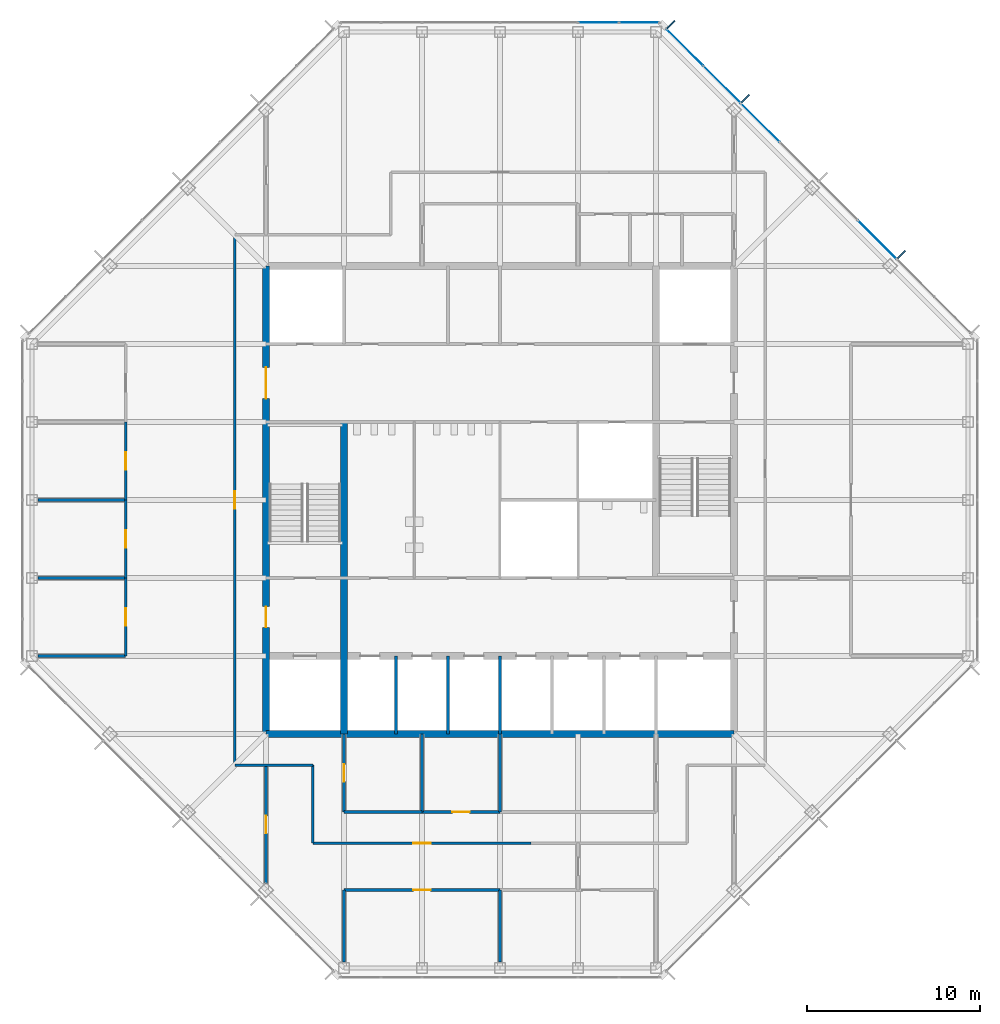
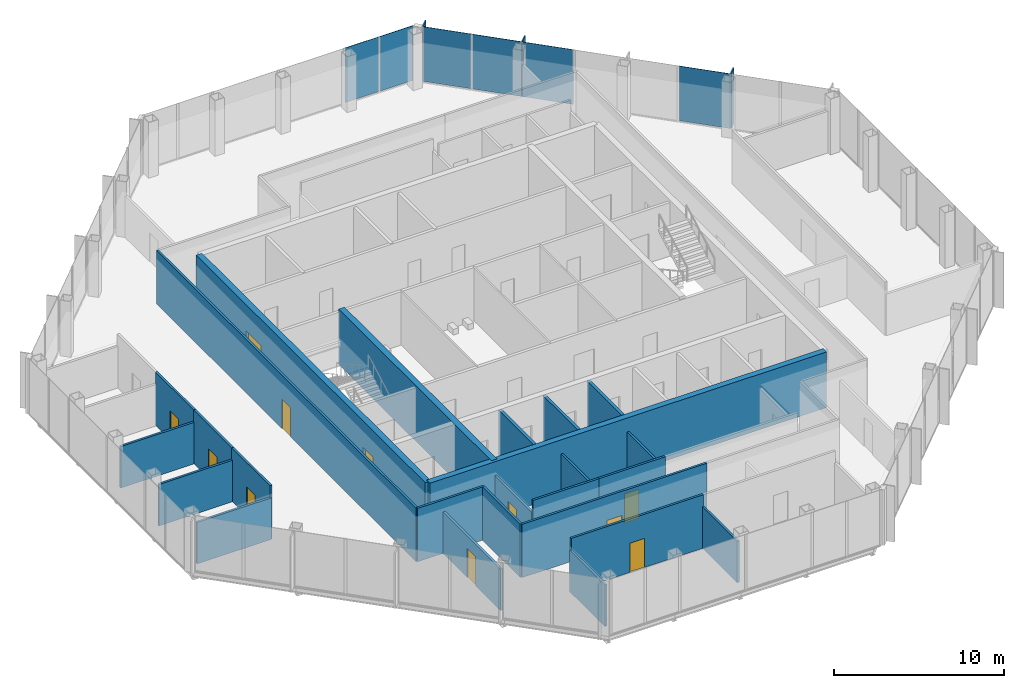
# One storey, part 9 of 14: 25 walls, 11 doors, 9 plates, 11 openings, 2 elements without a shape of their own.
"""IFC4 building model written with IfcOpenShell, lengths in metres."""

from ifc_helpers import new_model, si_unit, direction, frame, frame_2d, origin, origin_2d, place, context, subcontext, project, spatial, rectangle, extrude, material, layer, layer_set, type_object, element, fill, aggregate, save


model = new_model("IFC4")

# Units and contexts
model_context = context("Model", 3, precision=1e-05, world=origin(), true_north=direction((0.0, 1.0)))
body_context = subcontext(model_context, "Body", "Model", "MODEL_VIEW")
ifc_project = project(units=[si_unit("LENGTHUNIT", "METRE"), si_unit("AREAUNIT", "SQUARE_METRE"), si_unit("VOLUMEUNIT", "CUBIC_METRE"), si_unit("PLANEANGLEUNIT", "RADIAN"), si_unit("MASSUNIT", "GRAM", prefix="KILO")], contexts=[model_context])

# Site, building, storey
site_placement = place(None, origin())
site = spatial("IfcSite", under=ifc_project, at=site_placement, CompositionType="ELEMENT")
building_placement = place(site_placement, origin())
building = spatial("IfcBuilding", under=site, at=building_placement, Name="Corais Broadcast Tower", CompositionType="ELEMENT")
storey_placement = place(building_placement, frame((0.0, 0.0, 230.60009765625)))
storey = spatial("IfcBuildingStorey", under=building, at=storey_placement, Name="L53", CompositionType="ELEMENT", Elevation=230.60009765625)

# Curtain wall, plate
ifc_material_1 = material(Name="Aluminium and glass", Category="aluminium")
curtain_wall_type = type_object("IfcCurtainWallType", Name="Unitised fritted curtain wall CW3", PredefinedType="NOTDEFINED", material=ifc_material_1)
curtain_wall_1_placement = place(storey_placement, origin())
curtain_wall_1 = element("IfcCurtainWall", 1, at=curtain_wall_1_placement, inside=storey, type_object=curtain_wall_type, Name="CW3 curtain wall L53 4", PredefinedType="NOTDEFINED")
ifc_material_2 = material(Name="Ceramic-fritted laminated glass", Category="glass")
ifc_layer_1 = layer(ifc_material_2, 0.02587890625)
ifc_layer_set_1 = layer_set([ifc_layer_1], Name="Ceramic-fritted laminated glass")
plate_type_1 = type_object("IfcPlateType", Name="Fritted glass panel CW3", PredefinedType="CURTAIN_PANEL", material=ifc_layer_set_1)
plate_1_placement = place(storey_placement, frame((32.681884765625, 54.550048828125, 0.06494140625), z_axis=(0.0, 0.0, 1.0), x_axis=(1.0, 0.0, 0.0)))
plate_1 = element("IfcPlate", 2, at=plate_1_placement, type_object=plate_type_1, Name="CW3 panel 5", PredefinedType="CURTAIN_PANEL", context=body_context, shape_type="SweptSolid", body=[
    extrude(rectangle(XDim=2.298828125, YDim=0.02587890625, at=origin_2d()), origin(), (0.0, 0.0, 1.0), 3.93505859375),
])

# Curtain wall, plates
curtain_wall_2_placement = place(storey_placement, origin())
curtain_wall_2 = element("IfcCurtainWall", 3, at=curtain_wall_2_placement, inside=storey, type_object=curtain_wall_type, Name="CW3 curtain wall L53 5", PredefinedType="NOTDEFINED")
plate_2_placement = place(storey_placement, frame((37.669677734375, 53.108154296875, 0.06494140625), z_axis=(0.0, 0.0, 1.0), x_axis=(0.707106781187, -0.707106781187, 0.0)))
plate_2 = element("IfcPlate", 4, at=plate_2_placement, type_object=plate_type_1, Name="CW3 panel 1", PredefinedType="CURTAIN_PANEL", context=body_context, shape_type="SweptSolid", body=[
    extrude(rectangle(XDim=2.9482421875, YDim=0.02587890625, at=origin_2d()), origin(), (0.0, 0.0, 1.0), 3.93505859375),
])
plate_3_placement = place(storey_placement, frame((42.013916015625, 48.763916015625, 0.06494140625), z_axis=(0.0, 0.0, 1.0), x_axis=(0.707106781187, -0.707106781187, 0.0)))
plate_3 = element("IfcPlate", 5, at=plate_3_placement, type_object=plate_type_1, Name="CW3 panel 3", PredefinedType="CURTAIN_PANEL", context=body_context, shape_type="SweptSolid", body=[
    extrude(rectangle(XDim=3.116943359375, YDim=0.02587890625, at=origin_2d()), origin(), (0.0, 0.0, 1.0), 3.93505859375),
])

# Plate
ifc_material_3 = material(Name="Clear laminated glass", Category="glass")
ifc_layer_2 = layer(ifc_material_3, 0.030029296875)
ifc_layer_set_2 = layer_set([ifc_layer_2], Name="Clear laminated glass")
plate_type_2 = type_object("IfcPlateType", Name="Operable glass panel CW3", PredefinedType="CURTAIN_PANEL", material=ifc_layer_set_2)
plate_4_placement = place(storey_placement, frame((35.029541015625, 54.550048828125, 0.06494140625), z_axis=(0.0, 0.0, 1.0), x_axis=(1.0, 0.0, 0.0)))
plate_4 = element("IfcPlate", 6, at=plate_4_placement, type_object=plate_type_2, Name="CW3 operable panel 6", PredefinedType="CURTAIN_PANEL", context=body_context, shape_type="SweptSolid", body=[
    extrude(rectangle(XDim=2.266357421875, YDim=0.030029296875, at=origin_2d()), origin(), (0.0, 0.0, 1.0), 3.93505859375),
])

aggregate(curtain_wall_1, [plate_1, plate_4])

plate_5_placement = place(storey_placement, frame((39.81201171875, 50.9658203125, 0.06494140625), z_axis=(0.0, 0.0, 1.0), x_axis=(0.707106781187, -0.707106781187, 0.0)))
plate_5 = element("IfcPlate", 7, at=plate_5_placement, type_object=plate_type_2, Name="CW3 operable panel 2", PredefinedType="CURTAIN_PANEL", context=body_context, shape_type="SweptSolid", body=[
    extrude(rectangle(XDim=2.98095703125, YDim=0.030029296875, at=origin_2d()), origin(), (0.0, 0.0, 1.0), 3.93505859375),
])

plate_6_placement = place(storey_placement, frame((48.763916015625, 42.013916015625, 0.06494140625), z_axis=(0.0, 0.0, 1.0), x_axis=(0.707106781187, -0.707106781187, 0.0)))
plate_6 = element("IfcPlate", 8, at=plate_6_placement, type_object=plate_type_2, Name="CW3 operable panel 6", PredefinedType="CURTAIN_PANEL", context=body_context, shape_type="SweptSolid", body=[
    extrude(rectangle(XDim=3.116943359375, YDim=0.030029296875, at=origin_2d()), origin(), (0.0, 0.0, 1.0), 3.93505859375),
])

aggregate(curtain_wall_2, [plate_2, plate_5, plate_3, plate_6])

# Plates
ifc_material_4 = material(Name="Granite stone cladding", Category="masonry")
ifc_layer_3 = layer(ifc_material_4, 0.080078125)
ifc_layer_set_3 = layer_set([ifc_layer_3], Name="Granite stone cladding")
plate_type_3 = type_object("IfcPlateType", Name="Stone screen fin 80x600", PredefinedType="USERDEFINED", material=ifc_layer_set_3)
for number, where, z_axis, x_axis, name in (
    (9, (36.870849609375, 54.43994140625, 0.0), (0.0, 0.0, 1.0), (0.707106781187, -0.707106781187, 0.0), "SF1 stone screen fin L53"),
    (10, (41.155517578125, 50.155517578125, 0.0), (0.0, 0.0, 1.0), (0.707106781187, -0.707106781187, 0.0), "SF1 stone screen fin L53"),
    (11, (50.155517578125, 41.155517578125, 0.0), (0.0, 0.0, 1.0), (0.707106781187, -0.707106781187, 0.0), "SF1 stone screen fin L53"),
):
    element("IfcPlate", number, at=place(storey_placement, frame(where, z_axis=z_axis, x_axis=x_axis)), inside=storey, type_object=plate_type_3, Name=name, ObjectType="STONE SCREEN FIN", PredefinedType="USERDEFINED", context=body_context, shape_type="SweptSolid", body=[
        extrude(rectangle(XDim=0.080078125, YDim=0.60009765625, at=origin_2d()), origin(), (0.0, 0.0, 1.0), 4.0),
    ])

# Wall
ifc_material_5 = material(Name="Concrete C50/60", Category="concrete")
ifc_layer_4 = layer(ifc_material_5, 0.39990234375)
ifc_layer_set_4 = layer_set([ifc_layer_4], Name="Concrete C50/60")
wall_type_1 = type_object("IfcWallType", Name="Core wall 400", PredefinedType="SHEAR", material=ifc_layer_set_4)
wall_1_placement = place(storey_placement, frame((13.5, 13.5, 0.0), z_axis=(0.0, 0.0, 1.0), x_axis=(1.0, 0.0, 0.0)))
element("IfcWall", 12, at=wall_1_placement, inside=storey, type_object=wall_type_1, Name="CR400 core wall S L53", PredefinedType="SHEAR", context=body_context, shape_type="SweptSolid", body=[
    extrude(rectangle(XDim=27.0, YDim=0.39990234375, at=frame_2d((13.5, 0.0))), origin(), (0.0, 0.0, 1.0), 4.0),
])

# Wall, openings, doors
wall_2_placement = place(storey_placement, frame((13.5, 40.5, 0.0), z_axis=(0.0, 0.0, 1.0), x_axis=(0.0, -1.0, 0.0)))
wall_2 = element("IfcWall", 13, at=wall_2_placement, inside=storey, type_object=wall_type_1, Name="CR400 core wall W L53", PredefinedType="SHEAR", context=body_context, shape_type="SweptSolid", body=[
    extrude(rectangle(XDim=27.0, YDim=0.39990234375, at=frame_2d((13.5, 0.0))), origin(), (0.0, 0.0, 1.0), 4.0),
])
opening_1_placement = place(wall_2_placement, frame((19.64990234375, 0.0, 0.0)))
opening_1 = element("IfcOpeningElement", 14, at=opening_1_placement, cuts=wall_2, Name="Opening FD1", PredefinedType="OPENING", context=body_context, shape_type="SweptSolid", body=[
    extrude(rectangle(XDim=1.199951171875, YDim=2.10009765625, at=frame_2d((0.60009765625, 1.050048828125))), frame((0.0, 0.2099609375, 0.0), z_axis=(0.0, -1.0, 0.0), x_axis=(1.0, 0.0, 0.0)), (0.0, 0.0, 1.0), 0.419921875),
])
opening_2_placement = place(wall_2_placement, frame((5.85009765625, 0.0, 0.0)))
opening_2 = element("IfcOpeningElement", 15, at=opening_2_placement, cuts=wall_2, Name="Opening FD2", PredefinedType="OPENING", context=body_context, shape_type="SweptSolid", body=[
    extrude(rectangle(XDim=1.800048828125, YDim=2.10009765625, at=frame_2d((0.89990234375, 1.050048828125))), frame((0.0, 0.2099609375, 0.0), z_axis=(0.0, -1.0, 0.0), x_axis=(1.0, 0.0, 0.0)), (0.0, 0.0, 1.0), 0.419921875),
])
ifc_material_6 = material(Name="Steel fire door", Category="steel")
door_type_1 = type_object("IfcDoorType", Name="Fire door 1200x2100", OperationType="SINGLE_SWING_LEFT", PredefinedType="DOOR", material=ifc_material_6)
door_1_placement = place(opening_1_placement, origin())
door_1 = element("IfcDoor", 16, at=door_1_placement, inside=storey, type_object=door_type_1, Name="FD1 fire lobby A door L53", OperationType="SINGLE_SWING_RIGHT", OverallHeight=2.10009765625, OverallWidth=1.199951171875, PredefinedType="DOOR", context=body_context, shape_type="SweptSolid", body=[
    extrude(rectangle(XDim=1.199951171875, YDim=2.10009765625, at=frame_2d((0.60009765625, 1.050048828125))), frame((0.0, 0.02490234375, 0.0), z_axis=(0.0, -1.0, 0.0), x_axis=(1.0, 0.0, 0.0)), (0.0, 0.0, 1.0), 0.050048828125),
])
fill(opening_1, door_1)
ifc_material_7 = material(Name="Steel fire door", Category="steel")
door_type_2 = type_object("IfcDoorType", Name="Fire door pair 1800x2100", OperationType="DOUBLE_DOOR_SINGLE_SWING", PredefinedType="DOOR", material=ifc_material_7)
door_2_placement = place(opening_2_placement, origin())
door_2 = element("IfcDoor", 17, at=door_2_placement, inside=storey, type_object=door_type_2, Name="FD2 lift lobby door L53", OperationType="SINGLE_SWING_LEFT", OverallHeight=2.10009765625, OverallWidth=1.800048828125, PredefinedType="DOOR", context=body_context, shape_type="SweptSolid", body=[
    extrude(rectangle(XDim=1.800048828125, YDim=2.10009765625, at=frame_2d((0.89990234375, 1.050048828125))), frame((0.0, 0.02490234375, 0.0), z_axis=(0.0, -1.0, 0.0), x_axis=(1.0, 0.0, 0.0)), (0.0, 0.0, 1.0), 0.050048828125),
])
fill(opening_2, door_2)

# Wall
wall_3_placement = place(storey_placement, frame((18.0, 13.5, 0.0), z_axis=(0.0, 0.0, 1.0), x_axis=(0.0, 1.0, 0.0)))
element("IfcWall", 18, at=wall_3_placement, inside=storey, type_object=wall_type_1, Name="CR400 core wall X18A L53", PredefinedType="SHEAR", context=body_context, shape_type="SweptSolid", body=[
    extrude(rectangle(XDim=18.0, YDim=0.39990234375, at=frame_2d((9.0, 0.0))), origin(), (0.0, 0.0, 1.0), 4.0),
])

# Wall, opening, door
ifc_material_8 = material(Name="Gypsum board on steel studs", Category="steel")
ifc_layer_5 = layer(ifc_material_8, 0.14990234375)
ifc_layer_set_5 = layer_set([ifc_layer_5], Name="Gypsum board on steel studs")
wall_type_2 = type_object("IfcWallType", Name="Partition 150", PredefinedType="PARTITIONING", material=ifc_layer_set_5)
wall_4_placement = place(storey_placement, frame((11.699951171875, 42.300048828125, 0.0), z_axis=(0.0, 0.0, 1.0), x_axis=(0.0, -1.0, 0.0)))
wall_4 = element("IfcWall", 19, at=wall_4_placement, inside=storey, type_object=wall_type_2, Name="IW3 corridor wall L53", PredefinedType="PARTITIONING", context=body_context, shape_type="SweptSolid", body=[
    extrude(rectangle(XDim=30.60009765625, YDim=0.14990234375, at=frame_2d((15.300048828125, 0.0))), origin(), (0.0, 0.0, 1.0), 3.83984375),
])
opening_3_placement = place(wall_4_placement, frame((14.800048828125, 0.0, 0.0)))
opening_3 = element("IfcOpeningElement", 20, at=opening_3_placement, cuts=wall_4, Name="Opening D1", PredefinedType="OPENING", context=body_context, shape_type="SweptSolid", body=[
    extrude(rectangle(XDim=1.0, YDim=2.10009765625, at=frame_2d((0.5, 1.050048828125))), frame((0.0, 0.0849609375, 0.0), z_axis=(0.0, -1.0, 0.0), x_axis=(1.0, 0.0, 0.0)), (0.0, 0.0, 1.0), 0.169921875),
])
ifc_material_9 = material(Name="Timber door", Category="wood")
door_type_3 = type_object("IfcDoorType", Name="Single door 1000x2100", OperationType="SINGLE_SWING_LEFT", PredefinedType="DOOR", material=ifc_material_9)
door_3_placement = place(opening_3_placement, origin())
door_3 = element("IfcDoor", 21, at=door_3_placement, inside=storey, type_object=door_type_3, Name="D1 workplace door L53", OperationType="SINGLE_SWING_LEFT", OverallHeight=2.10009765625, OverallWidth=1.0, PredefinedType="DOOR", context=body_context, shape_type="SweptSolid", body=[
    extrude(rectangle(XDim=1.0, YDim=2.10009765625, at=frame_2d((0.5, 1.050048828125))), frame((0.0, 0.02490234375, 0.0), z_axis=(0.0, -1.0, 0.0), x_axis=(1.0, 0.0, 0.0)), (0.0, 0.0, 1.0), 0.050048828125),
])
fill(opening_3, door_3)

wall_5_placement = place(storey_placement, frame((16.199951171875, 7.199951171875, 0.0), z_axis=(0.0, 0.0, 1.0), x_axis=(1.0, 0.0, 0.0)))
wall_5 = element("IfcWall", 22, at=wall_5_placement, inside=storey, type_object=wall_type_2, Name="IW3 corridor wall L53", PredefinedType="PARTITIONING", context=body_context, shape_type="SweptSolid", body=[
    extrude(rectangle(XDim=12.60009765625, YDim=0.14990234375, at=frame_2d((6.300048828125, 0.0))), origin(), (0.0, 0.0, 1.0), 3.83984375),
])
opening_4_placement = place(wall_5_placement, frame((5.800048828125, 0.0, 0.0)))
opening_4 = element("IfcOpeningElement", 23, at=opening_4_placement, cuts=wall_5, Name="Opening D1", PredefinedType="OPENING", context=body_context, shape_type="SweptSolid", body=[
    extrude(rectangle(XDim=1.0, YDim=2.10009765625, at=frame_2d((0.5, 1.050048828125))), frame((0.0, 0.0849609375, 0.0), z_axis=(0.0, -1.0, 0.0), x_axis=(1.0, 0.0, 0.0)), (0.0, 0.0, 1.0), 0.169921875),
])
door_4_placement = place(opening_4_placement, origin())
door_4 = element("IfcDoor", 24, at=door_4_placement, inside=storey, type_object=door_type_3, Name="D1 workplace door L53", OperationType="SINGLE_SWING_LEFT", OverallHeight=2.10009765625, OverallWidth=1.0, PredefinedType="DOOR", context=body_context, shape_type="SweptSolid", body=[
    extrude(rectangle(XDim=1.0, YDim=2.10009765625, at=frame_2d((0.5, 1.050048828125))), frame((0.0, 0.02490234375, 0.0), z_axis=(0.0, -1.0, 0.0), x_axis=(1.0, 0.0, 0.0)), (0.0, 0.0, 1.0), 0.050048828125),
])
fill(opening_4, door_4)

# Walls
for number, where, z_axis, x_axis, name in (
    (25, (11.699951171875, 11.699951171875, 0.0), (0.0, 0.0, 1.0), (1.0, 0.0, 0.0), "IW3 corridor wall L53"),
    (26, (16.199951171875, 11.699951171875, 0.0), (0.0, 0.0, 1.0), (0.0, -1.0, 0.0), "IW3 corridor wall L53"),
):
    element("IfcWall", number, at=place(storey_placement, frame(where, z_axis=z_axis, x_axis=x_axis)), inside=storey, type_object=wall_type_2, Name=name, PredefinedType="PARTITIONING", context=body_context, shape_type="SweptSolid", body=[
        extrude(rectangle(XDim=4.5, YDim=0.14990234375, at=frame_2d((2.25, 0.0))), origin(), (0.0, 0.0, 1.0), 3.83984375),
    ])
wall_6_placement = place(storey_placement, frame((27.0, 13.5, 0.0), z_axis=(0.0, 0.0, 1.0), x_axis=(0.0, -1.0, 0.0)))
element("IfcWall", 27, at=wall_6_placement, inside=storey, type_object=wall_type_2, Name="IW3 partition L53", PredefinedType="PARTITIONING", context=body_context, shape_type="SweptSolid", body=[
    extrude(rectangle(XDim=4.5, YDim=0.14990234375, at=frame_2d((2.25, 0.0))), origin(), (0.0, 0.0, 1.0), 2.989013671875),
])
wall_7_placement = place(storey_placement, frame((0.3349609375, 18.0, 0.0), z_axis=(0.0, 0.0, 1.0), x_axis=(1.0, 0.0, 0.0)))
element("IfcWall", 28, at=wall_7_placement, inside=storey, type_object=wall_type_2, Name="IW3 partition L53", PredefinedType="PARTITIONING", context=body_context, shape_type="SweptSolid", body=[
    extrude(rectangle(XDim=5.06494140625, YDim=0.14990234375, at=frame_2d((2.532470703125, 0.0))), origin(), (0.0, 0.0, 1.0), 2.989013671875),
])

# Wall, opening, door
wall_8_placement = place(storey_placement, frame((5.39990234375, 18.0, 0.0), z_axis=(0.0, 0.0, 1.0), x_axis=(0.0, 1.0, 0.0)))
wall_8 = element("IfcWall", 29, at=wall_8_placement, inside=storey, type_object=wall_type_2, Name="IW3 partition L53", PredefinedType="PARTITIONING", context=body_context, shape_type="SweptSolid", body=[
    extrude(rectangle(XDim=4.5, YDim=0.14990234375, at=frame_2d((2.25, 0.0))), origin(), (0.0, 0.0, 1.0), 3.83984375),
])
opening_5_placement = place(wall_8_placement, frame((1.75, 0.0, 0.0)))
opening_5 = element("IfcOpeningElement", 30, at=opening_5_placement, cuts=wall_8, Name="Opening D1", PredefinedType="OPENING", context=body_context, shape_type="SweptSolid", body=[
    extrude(rectangle(XDim=1.0, YDim=2.10009765625, at=frame_2d((0.5, 1.050048828125))), frame((0.0, 0.0849609375, 0.0), z_axis=(0.0, -1.0, 0.0), x_axis=(1.0, 0.0, 0.0)), (0.0, 0.0, 1.0), 0.169921875),
])
door_5_placement = place(opening_5_placement, origin())
door_5 = element("IfcDoor", 31, at=door_5_placement, inside=storey, type_object=door_type_3, Name="D1 Focus room door", OperationType="SINGLE_SWING_LEFT", OverallHeight=2.10009765625, OverallWidth=1.0, PredefinedType="DOOR", context=body_context, shape_type="SweptSolid", body=[
    extrude(rectangle(XDim=1.0, YDim=2.10009765625, at=frame_2d((0.5, 1.050048828125))), frame((0.0, 0.02490234375, 0.0), z_axis=(0.0, -1.0, 0.0), x_axis=(1.0, 0.0, 0.0)), (0.0, 0.0, 1.0), 0.050048828125),
])
fill(opening_5, door_5)

# Wall
wall_9_placement = place(storey_placement, frame((5.39990234375, 22.5, 0.0), z_axis=(0.0, 0.0, 1.0), x_axis=(-1.0, 0.0, 0.0)))
element("IfcWall", 32, at=wall_9_placement, inside=storey, type_object=wall_type_2, Name="IW3 partition L53", PredefinedType="PARTITIONING", context=body_context, shape_type="SweptSolid", body=[
    extrude(rectangle(XDim=5.06494140625, YDim=0.14990234375, at=frame_2d((2.532470703125, 0.0))), origin(), (0.0, 0.0, 1.0), 2.989013671875),
])

# Wall, opening, door
wall_10_placement = place(storey_placement, frame((5.39990234375, 22.5, 0.0), z_axis=(0.0, 0.0, 1.0), x_axis=(0.0, 1.0, 0.0)))
wall_10 = element("IfcWall", 33, at=wall_10_placement, inside=storey, type_object=wall_type_2, Name="IW3 partition L53", PredefinedType="PARTITIONING", context=body_context, shape_type="SweptSolid", body=[
    extrude(rectangle(XDim=4.5, YDim=0.14990234375, at=frame_2d((2.25, 0.0))), origin(), (0.0, 0.0, 1.0), 3.83984375),
])
opening_6_placement = place(wall_10_placement, frame((1.75, 0.0, 0.0)))
opening_6 = element("IfcOpeningElement", 34, at=opening_6_placement, cuts=wall_10, Name="Opening D1", PredefinedType="OPENING", context=body_context, shape_type="SweptSolid", body=[
    extrude(rectangle(XDim=1.0, YDim=2.10009765625, at=frame_2d((0.5, 1.050048828125))), frame((0.0, 0.0849609375, 0.0), z_axis=(0.0, -1.0, 0.0), x_axis=(1.0, 0.0, 0.0)), (0.0, 0.0, 1.0), 0.169921875),
])
door_6_placement = place(opening_6_placement, origin())
door_6 = element("IfcDoor", 35, at=door_6_placement, inside=storey, type_object=door_type_3, Name="D1 Focus room door", OperationType="SINGLE_SWING_LEFT", OverallHeight=2.10009765625, OverallWidth=1.0, PredefinedType="DOOR", context=body_context, shape_type="SweptSolid", body=[
    extrude(rectangle(XDim=1.0, YDim=2.10009765625, at=frame_2d((0.5, 1.050048828125))), frame((0.0, 0.02490234375, 0.0), z_axis=(0.0, -1.0, 0.0), x_axis=(1.0, 0.0, 0.0)), (0.0, 0.0, 1.0), 0.050048828125),
])
fill(opening_6, door_6)

# Wall
wall_11_placement = place(storey_placement, frame((5.39990234375, 27.0, 0.0), z_axis=(0.0, 0.0, 1.0), x_axis=(-1.0, 0.0, 0.0)))
element("IfcWall", 36, at=wall_11_placement, inside=storey, type_object=wall_type_2, Name="IW3 partition L53", PredefinedType="PARTITIONING", context=body_context, shape_type="SweptSolid", body=[
    extrude(rectangle(XDim=5.06494140625, YDim=0.14990234375, at=frame_2d((2.532470703125, 0.0))), origin(), (0.0, 0.0, 1.0), 2.989013671875),
])

# Wall, opening, door
wall_12_placement = place(storey_placement, frame((5.39990234375, 27.0, 0.0), z_axis=(0.0, 0.0, 1.0), x_axis=(0.0, 1.0, 0.0)))
wall_12 = element("IfcWall", 37, at=wall_12_placement, inside=storey, type_object=wall_type_2, Name="IW3 partition L53", PredefinedType="PARTITIONING", context=body_context, shape_type="SweptSolid", body=[
    extrude(rectangle(XDim=4.5, YDim=0.14990234375, at=frame_2d((2.25, 0.0))), origin(), (0.0, 0.0, 1.0), 3.83984375),
])
opening_7_placement = place(wall_12_placement, frame((1.75, 0.0, 0.0)))
opening_7 = element("IfcOpeningElement", 38, at=opening_7_placement, cuts=wall_12, Name="Opening D1", PredefinedType="OPENING", context=body_context, shape_type="SweptSolid", body=[
    extrude(rectangle(XDim=1.0, YDim=2.10009765625, at=frame_2d((0.5, 1.050048828125))), frame((0.0, 0.0849609375, 0.0), z_axis=(0.0, -1.0, 0.0), x_axis=(1.0, 0.0, 0.0)), (0.0, 0.0, 1.0), 0.169921875),
])
door_7_placement = place(opening_7_placement, origin())
door_7 = element("IfcDoor", 39, at=door_7_placement, inside=storey, type_object=door_type_3, Name="D1 Focus room door", OperationType="SINGLE_SWING_LEFT", OverallHeight=2.10009765625, OverallWidth=1.0, PredefinedType="DOOR", context=body_context, shape_type="SweptSolid", body=[
    extrude(rectangle(XDim=1.0, YDim=2.10009765625, at=frame_2d((0.5, 1.050048828125))), frame((0.0, 0.02490234375, 0.0), z_axis=(0.0, -1.0, 0.0), x_axis=(1.0, 0.0, 0.0)), (0.0, 0.0, 1.0), 0.050048828125),
])
fill(opening_7, door_7)

# Wall
wall_13_placement = place(storey_placement, frame((27.0, 0.3349609375, 0.0), z_axis=(0.0, 0.0, 1.0), x_axis=(0.0, 1.0, 0.0)))
element("IfcWall", 40, at=wall_13_placement, inside=storey, type_object=wall_type_2, Name="IW3 partition L53", PredefinedType="PARTITIONING", context=body_context, shape_type="SweptSolid", body=[
    extrude(rectangle(XDim=4.1650390625, YDim=0.14990234375, at=frame_2d((2.08251953125, 0.0))), origin(), (0.0, 0.0, 1.0), 2.989013671875),
])

# Wall, opening, door
wall_14_placement = place(storey_placement, frame((27.0, 4.5, 0.0), z_axis=(0.0, 0.0, 1.0), x_axis=(-1.0, 0.0, 0.0)))
wall_14 = element("IfcWall", 41, at=wall_14_placement, inside=storey, type_object=wall_type_2, Name="IW3 partition L53", PredefinedType="PARTITIONING", context=body_context, shape_type="SweptSolid", body=[
    extrude(rectangle(XDim=9.0, YDim=0.14990234375, at=frame_2d((4.5, 0.0))), origin(), (0.0, 0.0, 1.0), 3.83984375),
])
opening_8_placement = place(wall_14_placement, frame((4.0, 0.0, 0.0)))
opening_8 = element("IfcOpeningElement", 42, at=opening_8_placement, cuts=wall_14, Name="Opening D1", PredefinedType="OPENING", context=body_context, shape_type="SweptSolid", body=[
    extrude(rectangle(XDim=1.0, YDim=2.10009765625, at=frame_2d((0.5, 1.050048828125))), frame((0.0, 0.0849609375, 0.0), z_axis=(0.0, -1.0, 0.0), x_axis=(1.0, 0.0, 0.0)), (0.0, 0.0, 1.0), 0.169921875),
])
door_8_placement = place(opening_8_placement, origin())
door_8 = element("IfcDoor", 43, at=door_8_placement, inside=storey, type_object=door_type_3, Name="D1 Office door", OperationType="SINGLE_SWING_LEFT", OverallHeight=2.10009765625, OverallWidth=1.0, PredefinedType="DOOR", context=body_context, shape_type="SweptSolid", body=[
    extrude(rectangle(XDim=1.0, YDim=2.10009765625, at=frame_2d((0.5, 1.050048828125))), frame((0.0, 0.02490234375, 0.0), z_axis=(0.0, -1.0, 0.0), x_axis=(1.0, 0.0, 0.0)), (0.0, 0.0, 1.0), 0.050048828125),
])
fill(opening_8, door_8)

# Walls
wall_15_placement = place(storey_placement, frame((18.0, 4.5, 0.0), z_axis=(0.0, 0.0, 1.0), x_axis=(0.0, -1.0, 0.0)))
element("IfcWall", 44, at=wall_15_placement, inside=storey, type_object=wall_type_2, Name="IW3 partition L53", PredefinedType="PARTITIONING", context=body_context, shape_type="SweptSolid", body=[
    extrude(rectangle(XDim=4.1650390625, YDim=0.14990234375, at=frame_2d((2.08251953125, 0.0))), origin(), (0.0, 0.0, 1.0), 2.989013671875),
])
wall_16_placement = place(storey_placement, frame((18.0, 9.0, 0.0), z_axis=(0.0, 0.0, 1.0), x_axis=(1.0, 0.0, 0.0)))
element("IfcWall", 45, at=wall_16_placement, inside=storey, type_object=wall_type_2, Name="IW3 partition L53", PredefinedType="PARTITIONING", context=body_context, shape_type="SweptSolid", body=[
    extrude(rectangle(XDim=4.5, YDim=0.14990234375, at=frame_2d((2.25, 0.0))), origin(), (0.0, 0.0, 1.0), 3.83984375),
])
wall_17_placement = place(storey_placement, frame((22.5, 9.0, 0.0), z_axis=(0.0, 0.0, 1.0), x_axis=(0.0, 1.0, 0.0)))
element("IfcWall", 46, at=wall_17_placement, inside=storey, type_object=wall_type_2, Name="IW3 partition L53", PredefinedType="PARTITIONING", context=body_context, shape_type="SweptSolid", body=[
    extrude(rectangle(XDim=4.5, YDim=0.14990234375, at=frame_2d((2.25, 0.0))), origin(), (0.0, 0.0, 1.0), 2.989013671875),
])

# Wall, opening, door
wall_18_placement = place(storey_placement, frame((18.0, 13.5, 0.0), z_axis=(0.0, 0.0, 1.0), x_axis=(0.0, -1.0, 0.0)))
wall_18 = element("IfcWall", 47, at=wall_18_placement, inside=storey, type_object=wall_type_2, Name="IW3 partition L53", PredefinedType="PARTITIONING", context=body_context, shape_type="SweptSolid", body=[
    extrude(rectangle(XDim=4.5, YDim=0.14990234375, at=frame_2d((2.25, 0.0))), origin(), (0.0, 0.0, 1.0), 2.989013671875),
])
opening_9_placement = place(wall_18_placement, frame((1.75, 0.0, 0.0)))
opening_9 = element("IfcOpeningElement", 48, at=opening_9_placement, cuts=wall_18, Name="Opening D1", PredefinedType="OPENING", context=body_context, shape_type="SweptSolid", body=[
    extrude(rectangle(XDim=1.0, YDim=2.10009765625, at=frame_2d((0.5, 1.050048828125))), frame((0.0, 0.0849609375, 0.0), z_axis=(0.0, -1.0, 0.0), x_axis=(1.0, 0.0, 0.0)), (0.0, 0.0, 1.0), 0.169921875),
])
door_9_placement = place(opening_9_placement, origin())
door_9 = element("IfcDoor", 49, at=door_9_placement, inside=storey, type_object=door_type_3, Name="D1 Interview room door", OperationType="SINGLE_SWING_LEFT", OverallHeight=2.10009765625, OverallWidth=1.0, PredefinedType="DOOR", context=body_context, shape_type="SweptSolid", body=[
    extrude(rectangle(XDim=1.0, YDim=2.10009765625, at=frame_2d((0.5, 1.050048828125))), frame((0.0, 0.02490234375, 0.0), z_axis=(0.0, -1.0, 0.0), x_axis=(1.0, 0.0, 0.0)), (0.0, 0.0, 1.0), 0.050048828125),
])
fill(opening_9, door_9)

wall_19_placement = place(storey_placement, frame((22.5, 9.0, 0.0), z_axis=(0.0, 0.0, 1.0), x_axis=(1.0, 0.0, 0.0)))
wall_19 = element("IfcWall", 50, at=wall_19_placement, inside=storey, type_object=wall_type_2, Name="IW3 partition L53", PredefinedType="PARTITIONING", context=body_context, shape_type="SweptSolid", body=[
    extrude(rectangle(XDim=4.5, YDim=0.14990234375, at=frame_2d((2.25, 0.0))), origin(), (0.0, 0.0, 1.0), 3.83984375),
])
opening_10_placement = place(wall_19_placement, frame((1.75, 0.0, 0.0)))
opening_10 = element("IfcOpeningElement", 51, at=opening_10_placement, cuts=wall_19, Name="Opening D1", PredefinedType="OPENING", context=body_context, shape_type="SweptSolid", body=[
    extrude(rectangle(XDim=1.0, YDim=2.10009765625, at=frame_2d((0.5, 1.050048828125))), frame((0.0, 0.0849609375, 0.0), z_axis=(0.0, -1.0, 0.0), x_axis=(1.0, 0.0, 0.0)), (0.0, 0.0, 1.0), 0.169921875),
])
door_10_placement = place(opening_10_placement, origin())
door_10 = element("IfcDoor", 52, at=door_10_placement, inside=storey, type_object=door_type_3, Name="D1 Interview room door", OperationType="SINGLE_SWING_LEFT", OverallHeight=2.10009765625, OverallWidth=1.0, PredefinedType="DOOR", context=body_context, shape_type="SweptSolid", body=[
    extrude(rectangle(XDim=1.0, YDim=2.10009765625, at=frame_2d((0.5, 1.050048828125))), frame((0.0, 0.02490234375, 0.0), z_axis=(0.0, -1.0, 0.0), x_axis=(1.0, 0.0, 0.0)), (0.0, 0.0, 1.0), 0.050048828125),
])
fill(opening_10, door_10)

wall_20_placement = place(storey_placement, frame((13.5, 4.844970703125, 0.0), z_axis=(0.0, 0.0, 1.0), x_axis=(0.0, 1.0, 0.0)))
wall_20 = element("IfcWall", 53, at=wall_20_placement, inside=storey, type_object=wall_type_2, Name="IW3 partition L53", PredefinedType="PARTITIONING", context=body_context, shape_type="SweptSolid", body=[
    extrude(rectangle(XDim=6.85498046875, YDim=0.14990234375, at=frame_2d((3.427490234375, 0.0))), origin(), (0.0, 0.0, 1.0), 2.989013671875),
])
opening_11_placement = place(wall_20_placement, frame((2.927490234375, 0.0, 0.0)))
opening_11 = element("IfcOpeningElement", 54, at=opening_11_placement, cuts=wall_20, Name="Opening D1", PredefinedType="OPENING", context=body_context, shape_type="SweptSolid", body=[
    extrude(rectangle(XDim=1.0, YDim=2.10009765625, at=frame_2d((0.5, 1.050048828125))), frame((0.0, 0.0849609375, 0.0), z_axis=(0.0, -1.0, 0.0), x_axis=(1.0, 0.0, 0.0)), (0.0, 0.0, 1.0), 0.169921875),
])
door_11_placement = place(opening_11_placement, origin())
door_11 = element("IfcDoor", 55, at=door_11_placement, inside=storey, type_object=door_type_3, Name="D1 team room door L53", OperationType="SINGLE_SWING_LEFT", OverallHeight=2.10009765625, OverallWidth=1.0, PredefinedType="DOOR", context=body_context, shape_type="SweptSolid", body=[
    extrude(rectangle(XDim=1.0, YDim=2.10009765625, at=frame_2d((0.5, 1.050048828125))), frame((0.0, 0.02490234375, 0.0), z_axis=(0.0, -1.0, 0.0), x_axis=(1.0, 0.0, 0.0)), (0.0, 0.0, 1.0), 0.050048828125),
])
fill(opening_11, door_11)

# Walls
ifc_material_10 = material(Name="Concrete blockwork class A, grouted, two-hour", Category="masonry")
ifc_layer_6 = layer(ifc_material_10, 0.199951171875)
ifc_layer_set_6 = layer_set([ifc_layer_6], Name="Concrete blockwork class A, grouted, two-hour")
wall_type_3 = type_object("IfcWallType", Name="Shaft wall 200", PredefinedType="PARTITIONING", material=ifc_layer_set_6)
for number, where, z_axis, x_axis, name in (
    (56, (21.0, 13.5, 0.0), (0.0, 0.0, 1.0), (0.0, 1.0, 0.0), "IW1 shaft wall L53"),
    (57, (24.0, 13.5, 0.0), (0.0, 0.0, 1.0), (0.0, 1.0, 0.0), "IW1 shaft wall L53"),
    (58, (27.0, 13.5, 0.0), (0.0, 0.0, 1.0), (0.0, 1.0, 0.0), "IW1 shaft wall L53"),
):
    element("IfcWall", number, at=place(storey_placement, frame(where, z_axis=z_axis, x_axis=x_axis)), inside=storey, type_object=wall_type_3, Name=name, PredefinedType="PARTITIONING", context=body_context, shape_type="SweptSolid", body=[
        extrude(rectangle(XDim=4.5, YDim=0.199951171875, at=frame_2d((2.25, 0.0))), origin(), (0.0, 0.0, 1.0), 3.83984375),
    ])

save(model, "model.ifc")
